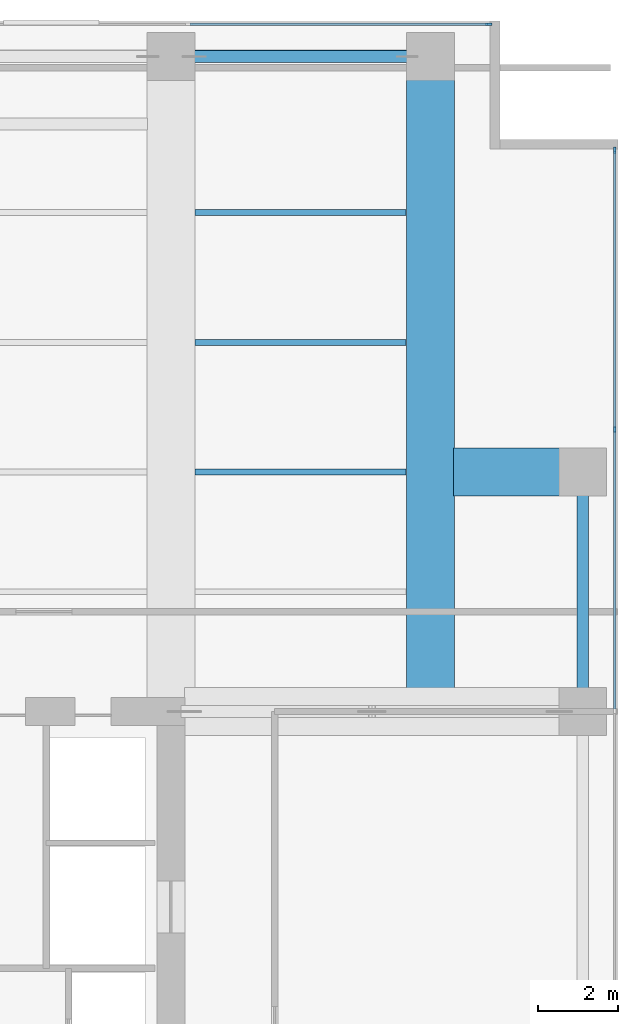
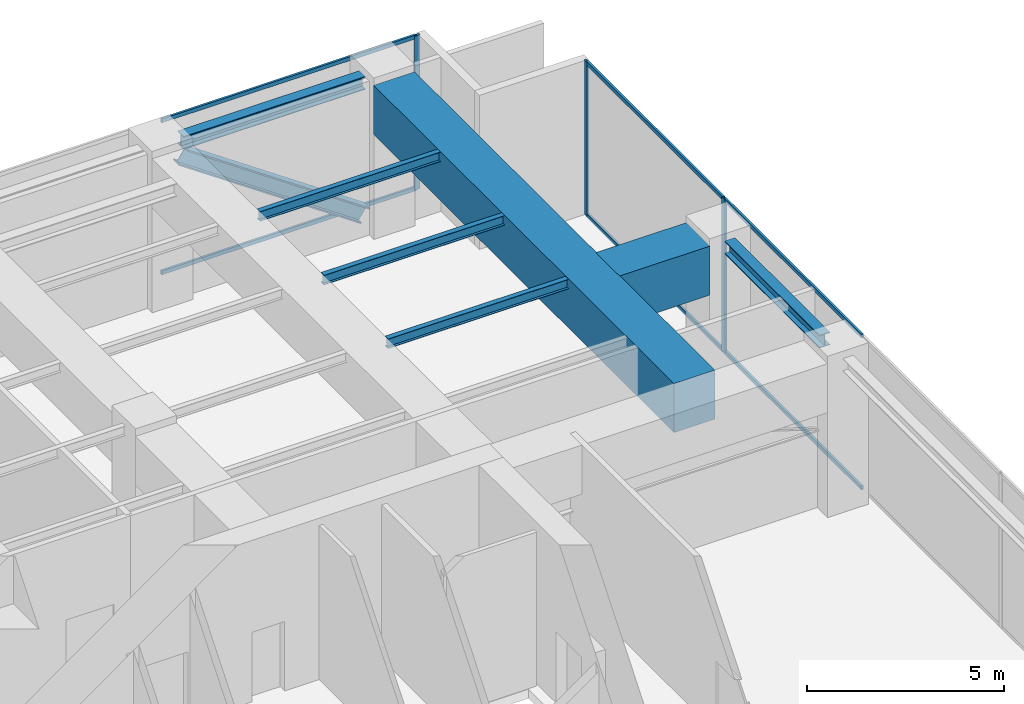
# One storey, part 12 of 28: 10 members, 7 beams, 2 elements without a shape of their own.
"""IFC4 building model written with IfcOpenShell, lengths in metres."""

from ifc_helpers import new_model, si_unit, direction, frame, origin, origin_2d, place, context, subcontext, project, spatial, rectangle, i_section, extrude, material, layer, layer_set, material_profile, profile_set, type_object, element, aggregate, save


model = new_model("IFC4")

# Units and contexts
model_context = context("Model", 3, precision=1e-05, world=origin(), true_north=direction((0.0, 1.0)))
body_context = subcontext(model_context, "Body", "Model", "MODEL_VIEW")
ifc_project = project(units=[si_unit("LENGTHUNIT", "METRE"), si_unit("AREAUNIT", "SQUARE_METRE"), si_unit("VOLUMEUNIT", "CUBIC_METRE"), si_unit("PLANEANGLEUNIT", "RADIAN"), si_unit("MASSUNIT", "GRAM", prefix="KILO")], contexts=[model_context])

# Site, building, storey
site_placement = place(None, origin())
site = spatial("IfcSite", under=ifc_project, at=site_placement, CompositionType="ELEMENT")
building_placement = place(site_placement, origin())
building = spatial("IfcBuilding", under=site, at=building_placement, Name="Putna Gate Headquarters", CompositionType="ELEMENT")
storey_placement = place(building_placement, frame((0.0, 0.0, 139.199951171875)))
storey = spatial("IfcBuildingStorey", under=building, at=storey_placement, Name="L34", CompositionType="ELEMENT", Elevation=139.199951171875)

# Beams
ifc_material_1 = material(Name="Steel S355J2", Category="steel")
ifc_material_profile_1 = material_profile(ifc_material_1, i_section(OverallWidth=0.14990234375, OverallDepth=0.300048828125, WebThickness=0.007080078125, FlangeThickness=0.0107421875, at=origin_2d()), Name="Steel S355J2")
ifc_profile_set_1 = profile_set([ifc_material_profile_1], Name="Steel S355J2")
beam_type_1 = type_object("IfcBeamType", Name="BM-SEC-Z3-IPE300", PredefinedType="JOIST", material=ifc_profile_set_1)
for number, where, z_axis, x_axis, name in (
    (1, (65.60400390625, 39.0, 4.6220703125), (1.0, 0.0, 0.0), (0.0, 1.0, 0.0), "L34 North Secondary Beam 10"),
    (2, (65.60400390625, 42.25, 4.6220703125), (1.0, 0.0, 0.0), (0.0, 1.0, 0.0), "L34 North Secondary Beam 10"),
    (3, (65.60400390625, 45.5, 4.6220703125), (1.0, 0.0, 0.0), (0.0, 1.0, 0.0), "L34 North Secondary Beam 10"),
):
    element("IfcBeam", number, at=place(storey_placement, frame(where, z_axis=z_axis, x_axis=x_axis)), inside=storey, type_object=beam_type_1, Name=name, PredefinedType="JOIST", context=body_context, shape_type="SweptSolid", body=[
        extrude(i_section(OverallWidth=0.14990234375, OverallDepth=0.300048828125, WebThickness=0.007080078125, FlangeThickness=0.0107421875, at=origin_2d()), origin(), (0.0, 0.0, 1.0), 5.2919921875),
    ])
ifc_material_profile_2 = material_profile(ifc_material_1, i_section(OverallWidth=0.300048828125, OverallDepth=0.39990234375, WebThickness=0.013427734375, FlangeThickness=0.02392578125, at=origin_2d()), Name="Steel S355J2")
ifc_profile_set_2 = profile_set([ifc_material_profile_2], Name="Steel S355J2")
beam_type_2 = type_object("IfcBeamType", Name="BM-SPAN-Z3-HEB400", PredefinedType="SPANDREL", material=ifc_profile_set_2)
beam_1_placement = place(storey_placement, frame((65.587890625, 49.419921875, 4.572021484375), z_axis=(1.0, 0.0, 0.0), x_axis=(0.0, 1.0, 0.0)))
element("IfcBeam", 4, at=beam_1_placement, inside=storey, type_object=beam_type_2, Name="L34 N Perimeter Spandrel 10", PredefinedType="SPANDREL", context=body_context, shape_type="SweptSolid", body=[
    extrude(i_section(OverallWidth=0.300048828125, OverallDepth=0.39990234375, WebThickness=0.013427734375, FlangeThickness=0.02392578125, at=origin_2d()), origin(), (0.0, 0.0, 1.0), 5.32421875),
])
beam_2_placement = place(storey_placement, frame((75.320068359375, 33.587890625, 4.572021484375), z_axis=(0.0, 1.0, 0.0), x_axis=(-1.0, 0.0, 0.0)))
element("IfcBeam", 5, at=beam_2_placement, inside=storey, type_object=beam_type_2, Name="L34 E End Spandrel 3", PredefinedType="SPANDREL", context=body_context, shape_type="SweptSolid", body=[
    extrude(i_section(OverallWidth=0.300048828125, OverallDepth=0.39990234375, WebThickness=0.013427734375, FlangeThickness=0.02392578125, at=origin_2d()), origin(), (0.0, 0.0, 1.0), 4.82421875),
])
ifc_material_2 = material(Name="Concrete C50/60", Category="concrete")
ifc_material_profile_3 = material_profile(ifc_material_2, rectangle(XDim=1.199951171875, YDim=1.52001953125, at=origin_2d()), Name="Concrete C50/60")
ifc_profile_set_3 = profile_set([ifc_material_profile_3], Name="Concrete C50/60")
beam_type_3 = type_object("IfcBeamType", Name="BM-TG-RC1520", PredefinedType="USERDEFINED", material=ifc_profile_set_3)
beam_3_placement = place(storey_placement, frame((72.0849609375, 39.0, 4.011962890625), z_axis=(1.0, 0.0, 0.0), x_axis=(0.0, 1.0, 0.0)))
element("IfcBeam", 6, at=beam_3_placement, inside=storey, type_object=beam_type_3, Name="L34 East Wing Girder Y39", ObjectType="GIRDER", PredefinedType="USERDEFINED", context=body_context, shape_type="SweptSolid", body=[
    extrude(rectangle(XDim=1.199951171875, YDim=1.52001953125, at=origin_2d()), origin(), (0.0, 0.0, 1.0), 2.64697265625),
])
beam_4_placement = place(storey_placement, frame((71.5, 33.5849609375, 4.011962890625), z_axis=(0.0, 1.0, 0.0), x_axis=(-1.0, 0.0, 0.0)))
element("IfcBeam", 7, at=beam_4_placement, inside=storey, type_object=beam_type_3, Name="L34 North Primary Girder X71", ObjectType="GIRDER", PredefinedType="USERDEFINED", context=body_context, shape_type="SweptSolid", body=[
    extrude(rectangle(XDim=1.199951171875, YDim=1.52001953125, at=origin_2d()), origin(), (0.0, 0.0, 1.0), 15.2470703125),
])

# Member
ifc_material_3 = material(Name="Steel S460M", Category="steel")
ifc_material_profile_4 = material_profile(ifc_material_3, i_section(OverallWidth=0.306884765625, OverallDepth=0.47802734375, WebThickness=0.02099609375, FlangeThickness=0.0400390625, at=origin_2d()), Name="Steel S460M")
ifc_profile_set_4 = profile_set([ifc_material_profile_4], Name="Steel S460M")
member_type_1 = type_object("IfcMemberType", Name="MEM-BELT-DIAG-HEM450", PredefinedType="BRACE", material=ifc_profile_set_4)
member_1_placement = place(storey_placement, frame((65.5849609375, 49.419921875, 4.1220703125), z_axis=(0.823486846025, 0.0, -0.567335363277), x_axis=(0.0, 1.0, 0.0)))
element("IfcMember", 8, at=member_1_placement, inside=storey, type_object=member_type_1, Name="L34 Belt Truss Diagonal N10", PredefinedType="BRACE", context=body_context, shape_type="SweptSolid", body=[
    extrude(i_section(OverallWidth=0.306884765625, OverallDepth=0.47802734375, WebThickness=0.02099609375, FlangeThickness=0.0400390625, at=origin_2d()), origin(), (0.0, 0.0, 1.0), 6.47265625),
])

# Curtain wall, member
ifc_material_4 = material(Name="Anodised bronze aluminium curtain wall", Category="aluminium")
ifc_layer = layer(ifc_material_4, 0.159912109375)
ifc_layer_set = layer_set([ifc_layer], Name="Anodised bronze aluminium curtain wall")
curtain_wall_type = type_object("IfcCurtainWallType", Name="CW-SYS-CRN", PredefinedType="USERDEFINED", material=ifc_layer_set)
curtain_wall_1_placement = place(storey_placement, origin())
curtain_wall_1 = element("IfcCurtainWall", 9, at=curtain_wall_1_placement, inside=storey, type_object=curtain_wall_type, Name="L34 Acoustic Louvre North Enclosure", ObjectType="STICK CURTAIN WALL", PredefinedType="USERDEFINED")
ifc_material_5 = material(Name="Anodised bronze aluminium EN AW-6060", Category="aluminium")
ifc_material_profile_5 = material_profile(ifc_material_5, rectangle(XDim=0.06494140625, YDim=0.159912109375, at=origin_2d()), Name="Anodised bronze aluminium EN AW-6060")
ifc_profile_set_5 = profile_set([ifc_material_profile_5], Name="Anodised bronze aluminium EN AW-6060")
member_type_2 = type_object("IfcMemberType", Name="MULL-CWM-CR", PredefinedType="MULLION", material=ifc_profile_set_5)
member_2_placement = place(storey_placement, frame((72.967529296875, 50.219970703125, 0.0), z_axis=(0.0, 0.0, 1.0), x_axis=(0.0, 1.0, 0.0)))
member_2 = element("IfcMember", 10, at=member_2_placement, type_object=member_type_2, Name="CWS-CR mullion 10", PredefinedType="MULLION", context=body_context, shape_type="SweptSolid", body=[
    extrude(rectangle(XDim=0.06494140625, YDim=0.159912109375, at=origin_2d()), origin(), (0.0, 0.0, 1.0), 4.77197265625),
])

# Curtain wall, members
curtain_wall_2_placement = place(storey_placement, origin())
curtain_wall_2 = element("IfcCurtainWall", 11, at=curtain_wall_2_placement, inside=storey, type_object=curtain_wall_type, Name="L34 Acoustic Louvre East Enclosure", ObjectType="STICK CURTAIN WALL", PredefinedType="USERDEFINED")
member_3_placement = place(storey_placement, frame((76.1201171875, 40.066650390625, 0.0), z_axis=(0.0, 0.0, 1.0), x_axis=(-1.0, 0.0, 0.0)))
member_3 = element("IfcMember", 12, at=member_3_placement, type_object=member_type_2, Name="CWS-CR mullion 6", PredefinedType="MULLION", context=body_context, shape_type="SweptSolid", body=[
    extrude(rectangle(XDim=0.06494140625, YDim=0.159912109375, at=origin_2d()), origin(), (0.0, 0.0, 1.0), 4.77197265625),
])
member_4_placement = place(storey_placement, frame((76.1201171875, 47.0673828125, 0.0), z_axis=(0.0, 0.0, 1.0), x_axis=(-1.0, 0.0, 0.0)))
member_4 = element("IfcMember", 13, at=member_4_placement, type_object=member_type_2, Name="CWS-CR mullion 7", PredefinedType="MULLION", context=body_context, shape_type="SweptSolid", body=[
    extrude(rectangle(XDim=0.06494140625, YDim=0.159912109375, at=origin_2d()), origin(), (0.0, 0.0, 1.0), 4.77197265625),
])

# Member
ifc_material_profile_6 = material_profile(ifc_material_5, rectangle(XDim=0.06494140625, YDim=0.1201171875, at=origin_2d()), Name="Anodised bronze aluminium EN AW-6060")
ifc_profile_set_6 = profile_set([ifc_material_profile_6], Name="Anodised bronze aluminium EN AW-6060")
member_type_3 = type_object("IfcMemberType", Name="TRAN-CWT-CR", PredefinedType="USERDEFINED", material=ifc_profile_set_6)
member_5_placement = place(storey_placement, frame((65.47705078125, 50.219970703125, 0.032470703125), z_axis=(1.0, 0.0, 0.0), x_axis=(0.0, 1.0, 0.0)))
member_5 = element("IfcMember", 14, at=member_5_placement, type_object=member_type_3, Name="CWS-CR transom 9.1", ObjectType="TRANSOM", PredefinedType="USERDEFINED", context=body_context, shape_type="SweptSolid", body=[
    extrude(rectangle(XDim=0.06494140625, YDim=0.1201171875, at=origin_2d()), origin(), (0.0, 0.0, 1.0), 7.4580078125),
])

member_6_placement = place(storey_placement, frame((65.47705078125, 50.219970703125, 4.739501953125), z_axis=(1.0, 0.0, 0.0), x_axis=(0.0, 1.0, 0.0)))
member_6 = element("IfcMember", 15, at=member_6_placement, type_object=member_type_3, Name="CWS-CR transom 9.2", ObjectType="TRANSOM", PredefinedType="USERDEFINED", context=body_context, shape_type="SweptSolid", body=[
    extrude(rectangle(XDim=0.06494140625, YDim=0.1201171875, at=origin_2d()), origin(), (0.0, 0.0, 1.0), 7.4580078125),
])

aggregate(curtain_wall_1, [member_2, member_5, member_6])

member_7_placement = place(storey_placement, frame((76.1201171875, 33.06591796875, 0.032470703125), z_axis=(0.0, 1.0, 0.0), x_axis=(-1.0, 0.0, 0.0)))
member_7 = element("IfcMember", 16, at=member_7_placement, type_object=member_type_3, Name="CWS-CR transom 5.1", ObjectType="TRANSOM", PredefinedType="USERDEFINED", context=body_context, shape_type="SweptSolid", body=[
    extrude(rectangle(XDim=0.06494140625, YDim=0.1201171875, at=origin_2d()), origin(), (0.0, 0.0, 1.0), 6.96826171875),
])

member_8_placement = place(storey_placement, frame((76.1201171875, 33.06591796875, 4.739501953125), z_axis=(0.0, 1.0, 0.0), x_axis=(-1.0, 0.0, 0.0)))
member_8 = element("IfcMember", 17, at=member_8_placement, type_object=member_type_3, Name="CWS-CR transom 5.2", ObjectType="TRANSOM", PredefinedType="USERDEFINED", context=body_context, shape_type="SweptSolid", body=[
    extrude(rectangle(XDim=0.06494140625, YDim=0.1201171875, at=origin_2d()), origin(), (0.0, 0.0, 1.0), 6.96826171875),
])

member_9_placement = place(storey_placement, frame((76.1201171875, 40.09912109375, 0.032470703125), z_axis=(0.0, 1.0, 0.0), x_axis=(-1.0, 0.0, 0.0)))
member_9 = element("IfcMember", 18, at=member_9_placement, type_object=member_type_3, Name="CWS-CR transom 6.1", ObjectType="TRANSOM", PredefinedType="USERDEFINED", context=body_context, shape_type="SweptSolid", body=[
    extrude(rectangle(XDim=0.06494140625, YDim=0.1201171875, at=origin_2d()), origin(), (0.0, 0.0, 1.0), 6.935791015625),
])

member_10_placement = place(storey_placement, frame((76.1201171875, 40.09912109375, 4.739501953125), z_axis=(0.0, 1.0, 0.0), x_axis=(-1.0, 0.0, 0.0)))
member_10 = element("IfcMember", 19, at=member_10_placement, type_object=member_type_3, Name="CWS-CR transom 6.2", ObjectType="TRANSOM", PredefinedType="USERDEFINED", context=body_context, shape_type="SweptSolid", body=[
    extrude(rectangle(XDim=0.06494140625, YDim=0.1201171875, at=origin_2d()), origin(), (0.0, 0.0, 1.0), 6.935791015625),
])

aggregate(curtain_wall_2, [member_3, member_4, member_7, member_8, member_9, member_10])

save(model, "model.ifc")
